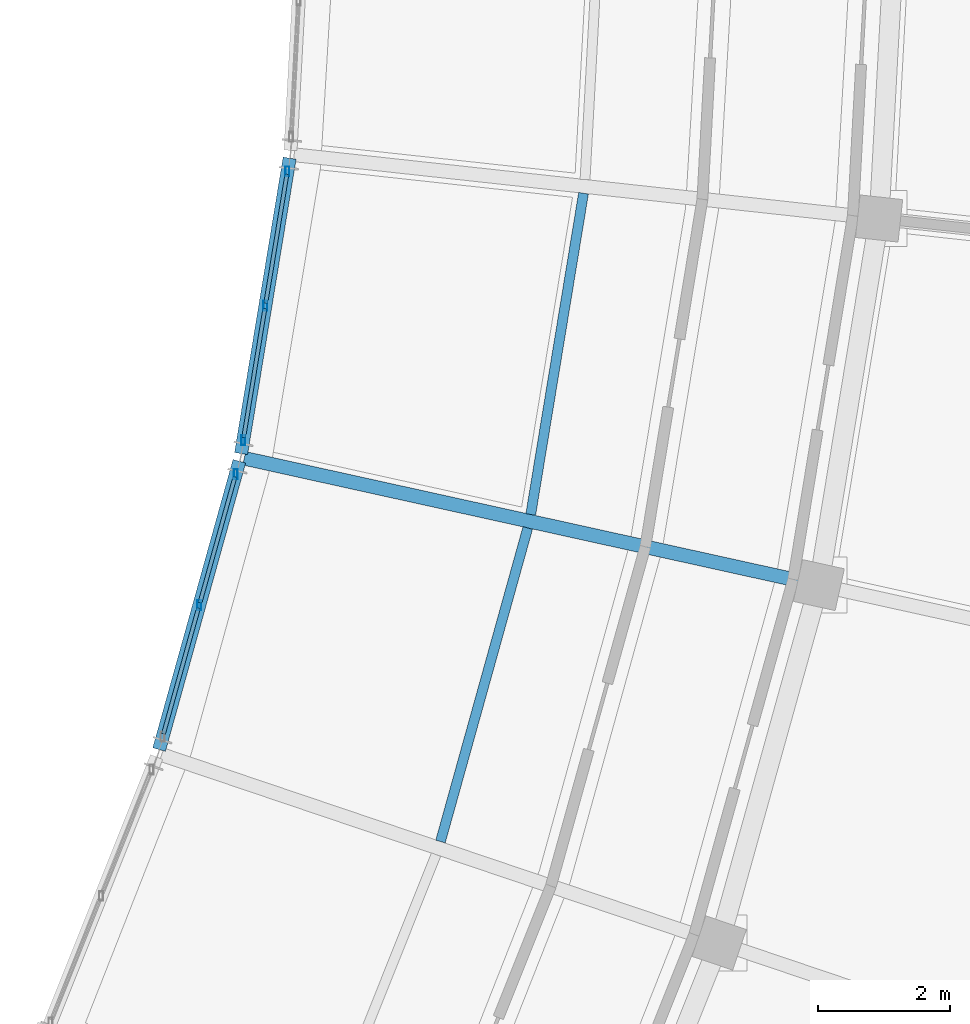
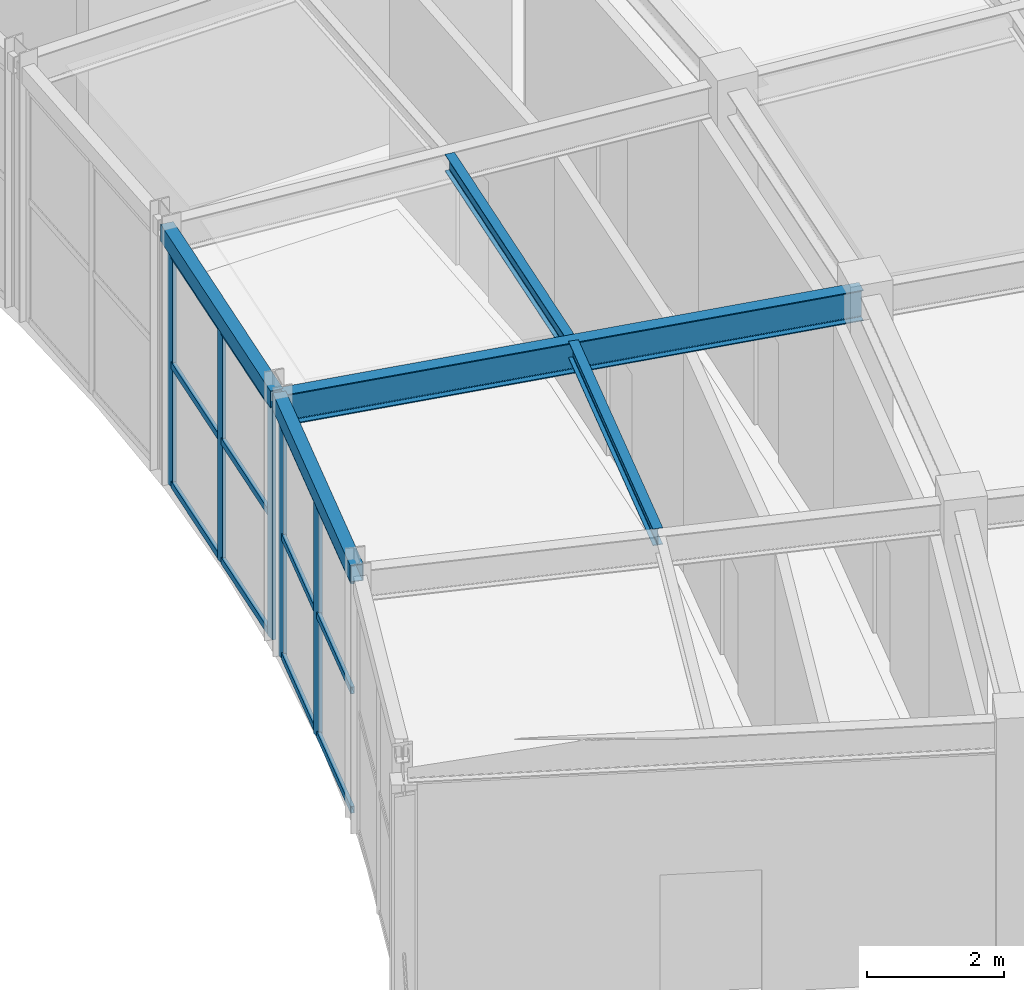
# One storey, part 66 of 108: 17 members, 5 beams, 2 elements without a shape of their own.
"""IFC4 building model written with IfcOpenShell, lengths in metres."""

from ifc_helpers import new_model, si_unit, direction, frame, origin, origin_2d, place, context, subcontext, project, spatial, hollow_rectangle, i_section, extrude, material, material_profile, profile_set, type_object, element, aggregate, save


model = new_model("IFC4")

# Units and contexts
model_context = context("Model", 3, precision=1e-05, world=origin(), true_north=direction((0.0, 1.0)))
body_context = subcontext(model_context, "Body", "Model", "MODEL_VIEW")
ifc_project = project(units=[si_unit("LENGTHUNIT", "METRE"), si_unit("AREAUNIT", "SQUARE_METRE"), si_unit("VOLUMEUNIT", "CUBIC_METRE"), si_unit("PLANEANGLEUNIT", "RADIAN"), si_unit("MASSUNIT", "GRAM", prefix="KILO")], contexts=[model_context])

# Site, building, storey
site_placement = place(None, origin())
site = spatial("IfcSite", under=ifc_project, at=site_placement, CompositionType="ELEMENT")
building_placement = place(site_placement, origin())
building = spatial("IfcBuilding", under=site, at=building_placement, Name="Tarnveldt Headland Concert Hall", CompositionType="ELEMENT")
storey_placement = place(building_placement, frame((0.0, 0.0, 9.60009765625)))
storey = spatial("IfcBuildingStorey", under=building, at=storey_placement, Name="L02", CompositionType="ELEMENT", Elevation=9.60009765625)

# Curtain wall, members
ifc_material_1 = material(Name="Marine-anodised aluminium EN AW-6063-T6", Category="aluminium")
curtain_wall_type = type_object("IfcCurtainWallType", Name="CW-C3", PredefinedType="NOTDEFINED", material=ifc_material_1)
curtain_wall_1_placement = place(storey_placement, origin())
curtain_wall_1 = element("IfcCurtainWall", 1, at=curtain_wall_1_placement, inside=storey, type_object=curtain_wall_type, Name="Curtain wall CW-L02-124", PredefinedType="NOTDEFINED")
ifc_material_profile_1 = material_profile(ifc_material_1, hollow_rectangle(XDim=0.06005859375, YDim=0.14990234375, WallThickness=0.00390625, at=origin_2d()), Name="ALU MULLION 60x150x4", Category="aluminium")
ifc_profile_set_1 = profile_set([ifc_material_profile_1], Name="Marine-anodised aluminium EN AW-6063-T6")
member_type_1 = type_object("IfcMemberType", Name="ML-150", PredefinedType="MULLION", material=ifc_profile_set_1)
member_1_placement = place(storey_placement, frame((158.864013671875, 48.485595703125, 0.0), z_axis=(0.0, 0.0, 1.0), x_axis=(1.0, 0.0, 0.0)))
member_1 = element("IfcMember", 2, at=member_1_placement, type_object=member_type_1, Name="Mullion CW-L02-124-2", PredefinedType="MULLION", context=body_context, shape_type="SweptSolid", body=[
    extrude(hollow_rectangle(XDim=0.06005859375, YDim=0.14990234375, WallThickness=0.00390625, at=origin_2d()), origin(), (0.0, 0.0, 1.0), 4.18994140625),
])
member_2_placement = place(storey_placement, frame((159.418701171875, 50.478515625, 0.0), z_axis=(0.0, 0.0, 1.0), x_axis=(1.0, 0.0, 0.0)))
member_2 = element("IfcMember", 3, at=member_2_placement, type_object=member_type_1, Name="Mullion CW-L02-124-3", PredefinedType="MULLION", context=body_context, shape_type="SweptSolid", body=[
    extrude(hollow_rectangle(XDim=0.06005859375, YDim=0.14990234375, WallThickness=0.00390625, at=origin_2d()), origin(), (0.0, 0.0, 1.0), 4.18994140625),
])

curtain_wall_2_placement = place(storey_placement, origin())
curtain_wall_2 = element("IfcCurtainWall", 4, at=curtain_wall_2_placement, inside=storey, type_object=curtain_wall_type, Name="Curtain wall CW-L02-125", PredefinedType="NOTDEFINED")
member_3_placement = place(storey_placement, frame((159.53271484375, 50.995361328125, 0.0), z_axis=(0.0, 0.0, 1.0), x_axis=(1.0, 0.0, 0.0)))
member_3 = element("IfcMember", 5, at=member_3_placement, type_object=member_type_1, Name="Mullion CW-L02-125-1", PredefinedType="MULLION", context=body_context, shape_type="SweptSolid", body=[
    extrude(hollow_rectangle(XDim=0.06005859375, YDim=0.14990234375, WallThickness=0.00390625, at=origin_2d()), origin(), (0.0, 0.0, 1.0), 4.18994140625),
])
member_4_placement = place(storey_placement, frame((159.8681640625, 53.03662109375, 0.0), z_axis=(0.0, 0.0, 1.0), x_axis=(1.0, 0.0, 0.0)))
member_4 = element("IfcMember", 6, at=member_4_placement, type_object=member_type_1, Name="Mullion CW-L02-125-2", PredefinedType="MULLION", context=body_context, shape_type="SweptSolid", body=[
    extrude(hollow_rectangle(XDim=0.06005859375, YDim=0.14990234375, WallThickness=0.00390625, at=origin_2d()), origin(), (0.0, 0.0, 1.0), 4.18994140625),
])
member_5_placement = place(storey_placement, frame((160.20361328125, 55.077880859375, 0.0), z_axis=(0.0, 0.0, 1.0), x_axis=(1.0, 0.0, 0.0)))
member_5 = element("IfcMember", 7, at=member_5_placement, type_object=member_type_1, Name="Mullion CW-L02-125-3", PredefinedType="MULLION", context=body_context, shape_type="SweptSolid", body=[
    extrude(hollow_rectangle(XDim=0.06005859375, YDim=0.14990234375, WallThickness=0.00390625, at=origin_2d()), origin(), (0.0, 0.0, 1.0), 4.18994140625),
])

# Beams
ifc_material_2 = material(Name="Steel S355", Category="steel")
ifc_material_profile_2 = material_profile(ifc_material_2, i_section(OverallWidth=0.14990234375, OverallDepth=0.300048828125, WebThickness=0.007080078125, FlangeThickness=0.0107421875, FilletRadius=0.014892578125, at=origin_2d()), Name="IPE300", Category="steel")
ifc_profile_set_2 = profile_set([ifc_material_profile_2], Name="Steel S355")
beam_type_1 = type_object("IfcBeamType", Name="SB-IPE300", PredefinedType="JOIST", material=ifc_profile_set_2)
for number, where, z_axis, x_axis, name in (
    (8, (162.529541015625, 44.898193359375, 4.43994140625), (0.268142838284, 0.963379166412, 0.0), (-0.963379166412, 0.268142838284, 0.0), "Framing beam L02-1085"),
    (9, (163.90087890625, 49.86767578125, 4.39990234375), (0.162205283483, 0.986757034943, 0.0), (-0.986757034943, 0.162205283483, 0.0), "Framing beam L02-1092"),
):
    element("IfcBeam", number, at=place(storey_placement, frame(where, z_axis=z_axis, x_axis=x_axis)), inside=storey, type_object=beam_type_1, Name=name, PredefinedType="JOIST", context=body_context, shape_type="SweptSolid", body=[
        extrude(i_section(OverallWidth=0.14990234375, OverallDepth=0.300048828125, WebThickness=0.007080078125, FlangeThickness=0.0107421875, FilletRadius=0.014892578125, at=origin_2d()), origin(), (0.0, 0.0, 1.0), 4.94580078125),
    ])
ifc_material_profile_3 = material_profile(ifc_material_2, i_section(OverallWidth=0.2099609375, OverallDepth=0.550048828125, WebThickness=0.010986328125, FlangeThickness=0.01708984375, FilletRadius=0.02392578125, at=origin_2d()), Name="IPE550", Category="steel")
ifc_profile_set_3 = profile_set([ifc_material_profile_3], Name="Steel S355")
beam_type_2 = type_object("IfcBeamType", Name="SB-IPE550", PredefinedType="BEAM", material=ifc_profile_set_3)
beam_1_placement = place(storey_placement, frame((159.54833984375, 50.720947265625, 4.27490234375), z_axis=(0.976505569656, -0.215492163268, 0.0), x_axis=(0.215492163268, 0.976505569656, 0.0)))
element("IfcBeam", 10, at=beam_1_placement, inside=storey, type_object=beam_type_2, Name="Framing beam L02-1087", PredefinedType="BEAM", context=body_context, shape_type="SweptSolid", body=[
    extrude(i_section(OverallWidth=0.2099609375, OverallDepth=0.550048828125, WebThickness=0.010986328125, FlangeThickness=0.01708984375, FilletRadius=0.02392578125, at=origin_2d()), origin(), (0.0, 0.0, 1.0), 8.880126953125),
])
ifc_material_profile_4 = material_profile(ifc_material_2, hollow_rectangle(XDim=0.199951171875, YDim=0.300048828125, WallThickness=0.012451171875, at=origin_2d()), Name="RHS 300x200x12.5", Category="steel")
ifc_profile_set_4 = profile_set([ifc_material_profile_4], Name="Steel S355")
beam_type_3 = type_object("IfcBeamType", Name="SB-RHS300", PredefinedType="SPANDREL", material=ifc_profile_set_4)
beam_2_placement = place(storey_placement, frame((158.254150390625, 46.295166015625, 4.43994140625), z_axis=(0.268169932327, 0.963371624761, 0.0), x_axis=(-0.963371624761, 0.268169932327, 0.0)))
element("IfcBeam", 11, at=beam_2_placement, inside=storey, type_object=beam_type_3, Name="Framing beam L02-1082", PredefinedType="SPANDREL", context=body_context, shape_type="SweptSolid", body=[
    extrude(hollow_rectangle(XDim=0.199951171875, YDim=0.300048828125, WallThickness=0.012451171875, at=origin_2d()), origin(), (0.0, 0.0, 1.0), 4.54736328125),
])
beam_3_placement = place(storey_placement, frame((159.49951171875, 50.79296875, 4.39990234375), z_axis=(0.162187266023, 0.986759996524, 0.0), x_axis=(-0.986759996524, 0.162187266023, 0.0)))
element("IfcBeam", 12, at=beam_3_placement, inside=storey, type_object=beam_type_3, Name="Framing beam L02-1089", PredefinedType="SPANDREL", context=body_context, shape_type="SweptSolid", body=[
    extrude(hollow_rectangle(XDim=0.199951171875, YDim=0.300048828125, WallThickness=0.012451171875, at=origin_2d()), origin(), (0.0, 0.0, 1.0), 4.547607421875),
])

# Member
ifc_material_profile_5 = material_profile(ifc_material_1, hollow_rectangle(XDim=0.06005859375, YDim=0.1201171875, WallThickness=0.00390625, at=origin_2d()), Name="ALU TRANSOM 60x120x4", Category="aluminium")
ifc_profile_set_5 = profile_set([ifc_material_profile_5], Name="Marine-anodised aluminium EN AW-6063-T6")
member_type_2 = type_object("IfcMemberType", Name="TR-110", PredefinedType="MEMBER", material=ifc_profile_set_5)
member_6_placement = place(storey_placement, frame((158.320556640625, 46.533203125, 0.0498046875), z_axis=(0.268068957381, 0.963399727054, 0.0), x_axis=(-0.963399727054, 0.268068957381, 0.0)))
member_6 = element("IfcMember", 13, at=member_6_placement, type_object=member_type_2, Name="Transom CW-L02-124-1-1", PredefinedType="MEMBER", context=body_context, shape_type="SweptSolid", body=[
    extrude(hollow_rectangle(XDim=0.06005859375, YDim=0.1201171875, WallThickness=0.00390625, at=origin_2d()), origin(), (0.0, 0.0, 1.0), 1.984619140625),
])

member_7_placement = place(storey_placement, frame((158.320556640625, 46.533203125, 2.1787109375), z_axis=(0.268068957381, 0.963399727054, 0.0), x_axis=(-0.963399727054, 0.268068957381, 0.0)))
member_7 = element("IfcMember", 14, at=member_7_placement, type_object=member_type_2, Name="Transom CW-L02-124-1-2", PredefinedType="MEMBER", context=body_context, shape_type="SweptSolid", body=[
    extrude(hollow_rectangle(XDim=0.06005859375, YDim=0.1201171875, WallThickness=0.00390625, at=origin_2d()), origin(), (0.0, 0.0, 1.0), 1.984619140625),
])

member_8_placement = place(storey_placement, frame((158.320556640625, 46.533203125, 4.139892578125), z_axis=(0.268068957381, 0.963399727054, 0.0), x_axis=(-0.963399727054, 0.268068957381, 0.0)))
member_8 = element("IfcMember", 15, at=member_8_placement, type_object=member_type_2, Name="Transom CW-L02-124-1-3", PredefinedType="MEMBER", context=body_context, shape_type="SweptSolid", body=[
    extrude(hollow_rectangle(XDim=0.06005859375, YDim=0.1201171875, WallThickness=0.00390625, at=origin_2d()), origin(), (0.0, 0.0, 1.0), 1.984619140625),
])

member_9_placement = place(storey_placement, frame((158.875244140625, 48.52587890625, 0.0498046875), z_axis=(0.268037189163, 0.963408566095, 0.0), x_axis=(-0.963408566095, 0.268037189163, 0.0)))
member_9 = element("IfcMember", 16, at=member_9_placement, type_object=member_type_2, Name="Transom CW-L02-124-2-1", PredefinedType="MEMBER", context=body_context, shape_type="SweptSolid", body=[
    extrude(hollow_rectangle(XDim=0.06005859375, YDim=0.1201171875, WallThickness=0.00390625, at=origin_2d()), origin(), (0.0, 0.0, 1.0), 1.984619140625),
])

member_10_placement = place(storey_placement, frame((158.875244140625, 48.52587890625, 2.1787109375), z_axis=(0.268037189163, 0.963408566095, 0.0), x_axis=(-0.963408566095, 0.268037189163, 0.0)))
member_10 = element("IfcMember", 17, at=member_10_placement, type_object=member_type_2, Name="Transom CW-L02-124-2-2", PredefinedType="MEMBER", context=body_context, shape_type="SweptSolid", body=[
    extrude(hollow_rectangle(XDim=0.06005859375, YDim=0.1201171875, WallThickness=0.00390625, at=origin_2d()), origin(), (0.0, 0.0, 1.0), 1.984619140625),
])

member_11_placement = place(storey_placement, frame((158.875244140625, 48.52587890625, 4.139892578125), z_axis=(0.268037189163, 0.963408566095, 0.0), x_axis=(-0.963408566095, 0.268037189163, 0.0)))
member_11 = element("IfcMember", 18, at=member_11_placement, type_object=member_type_2, Name="Transom CW-L02-124-2-3", PredefinedType="MEMBER", context=body_context, shape_type="SweptSolid", body=[
    extrude(hollow_rectangle(XDim=0.06005859375, YDim=0.1201171875, WallThickness=0.00390625, at=origin_2d()), origin(), (0.0, 0.0, 1.0), 1.984619140625),
])

aggregate(curtain_wall_1, [member_1, member_2, member_6, member_7, member_8, member_9, member_10, member_11])

member_12_placement = place(storey_placement, frame((159.53955078125, 51.03662109375, 0.0498046875), z_axis=(0.162124564427, 0.986770300328, 0.0), x_axis=(-0.986770300328, 0.162124564427, 0.0)))
member_12 = element("IfcMember", 19, at=member_12_placement, type_object=member_type_2, Name="Transom CW-L02-125-1-1", PredefinedType="MEMBER", context=body_context, shape_type="SweptSolid", body=[
    extrude(hollow_rectangle(XDim=0.06005859375, YDim=0.1201171875, WallThickness=0.00390625, at=origin_2d()), origin(), (0.0, 0.0, 1.0), 1.98486328125),
])

member_13_placement = place(storey_placement, frame((159.53955078125, 51.03662109375, 2.1787109375), z_axis=(0.162124564427, 0.986770300328, 0.0), x_axis=(-0.986770300328, 0.162124564427, 0.0)))
member_13 = element("IfcMember", 20, at=member_13_placement, type_object=member_type_2, Name="Transom CW-L02-125-1-2", PredefinedType="MEMBER", context=body_context, shape_type="SweptSolid", body=[
    extrude(hollow_rectangle(XDim=0.06005859375, YDim=0.1201171875, WallThickness=0.00390625, at=origin_2d()), origin(), (0.0, 0.0, 1.0), 1.98486328125),
])

member_14_placement = place(storey_placement, frame((159.53955078125, 51.03662109375, 4.139892578125), z_axis=(0.162124564427, 0.986770300328, 0.0), x_axis=(-0.986770300328, 0.162124564427, 0.0)))
member_14 = element("IfcMember", 21, at=member_14_placement, type_object=member_type_2, Name="Transom CW-L02-125-1-3", PredefinedType="MEMBER", context=body_context, shape_type="SweptSolid", body=[
    extrude(hollow_rectangle(XDim=0.06005859375, YDim=0.1201171875, WallThickness=0.00390625, at=origin_2d()), origin(), (0.0, 0.0, 1.0), 1.98486328125),
])

member_15_placement = place(storey_placement, frame((159.875, 53.077880859375, 0.0498046875), z_axis=(0.162224645489, 0.986753851979, 0.0), x_axis=(-0.986753851979, 0.162224645489, 0.0)))
member_15 = element("IfcMember", 22, at=member_15_placement, type_object=member_type_2, Name="Transom CW-L02-125-2-1", PredefinedType="MEMBER", context=body_context, shape_type="SweptSolid", body=[
    extrude(hollow_rectangle(XDim=0.06005859375, YDim=0.1201171875, WallThickness=0.00390625, at=origin_2d()), origin(), (0.0, 0.0, 1.0), 1.985107421875),
])

member_16_placement = place(storey_placement, frame((159.875, 53.077880859375, 2.1787109375), z_axis=(0.162224645489, 0.986753851979, 0.0), x_axis=(-0.986753851979, 0.162224645489, 0.0)))
member_16 = element("IfcMember", 23, at=member_16_placement, type_object=member_type_2, Name="Transom CW-L02-125-2-2", PredefinedType="MEMBER", context=body_context, shape_type="SweptSolid", body=[
    extrude(hollow_rectangle(XDim=0.06005859375, YDim=0.1201171875, WallThickness=0.00390625, at=origin_2d()), origin(), (0.0, 0.0, 1.0), 1.985107421875),
])

member_17_placement = place(storey_placement, frame((159.875, 53.077880859375, 4.139892578125), z_axis=(0.162224645489, 0.986753851979, 0.0), x_axis=(-0.986753851979, 0.162224645489, 0.0)))
member_17 = element("IfcMember", 24, at=member_17_placement, type_object=member_type_2, Name="Transom CW-L02-125-2-3", PredefinedType="MEMBER", context=body_context, shape_type="SweptSolid", body=[
    extrude(hollow_rectangle(XDim=0.06005859375, YDim=0.1201171875, WallThickness=0.00390625, at=origin_2d()), origin(), (0.0, 0.0, 1.0), 1.985107421875),
])

aggregate(curtain_wall_2, [member_3, member_4, member_5, member_12, member_13, member_14, member_15, member_16, member_17])

save(model, "model.ifc")
